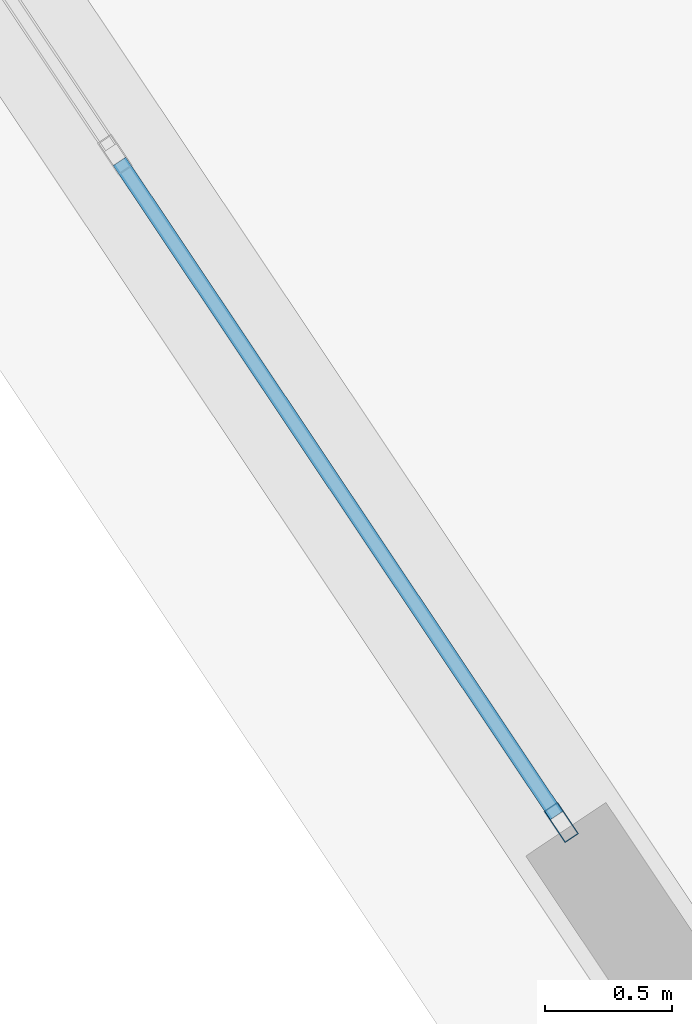
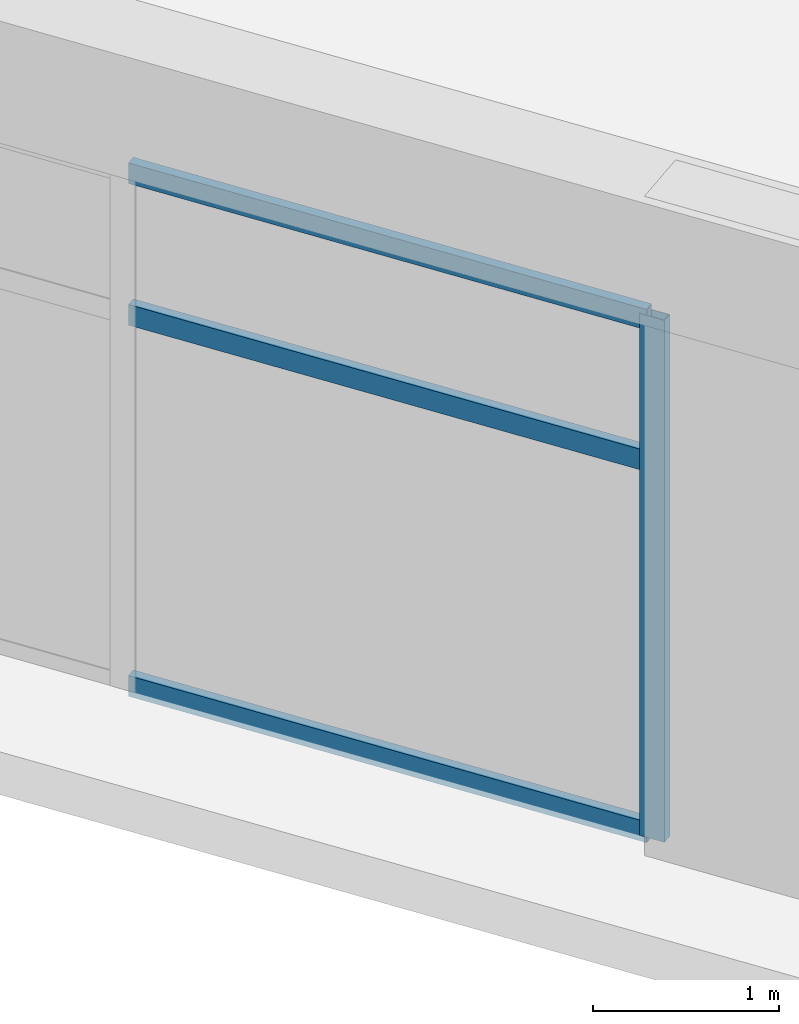
# One storey, part 2 of 35: 4 members, 1 element without a shape of its own.
"""IFC4 building model written with IfcOpenShell, lengths in metres."""

from ifc_helpers import new_model, si_unit, direction, frame, origin, origin_2d, place, context, subcontext, project, spatial, hollow_rectangle, extrude, source, transform, mapped, material, layer, layer_set, material_profile, profile_set, type_object, element, aggregate, save


model = new_model("IFC4")

# Units and contexts
model_context = context("Model", 3, precision=1e-05, world=origin(), true_north=direction((0.0, 1.0)))
body_context = subcontext(model_context, "Body", "Model", "MODEL_VIEW")
ifc_project = project(units=[si_unit("LENGTHUNIT", "METRE"), si_unit("AREAUNIT", "SQUARE_METRE"), si_unit("VOLUMEUNIT", "CUBIC_METRE"), si_unit("PLANEANGLEUNIT", "RADIAN"), si_unit("MASSUNIT", "GRAM", prefix="KILO")], contexts=[model_context])

# Site, building, storey
site_placement = place(None, origin())
site = spatial("IfcSite", under=ifc_project, at=site_placement, CompositionType="ELEMENT")
building_placement = place(site_placement, origin())
building = spatial("IfcBuilding", under=site, at=building_placement, Name="Liaohun Quay Tower", CompositionType="ELEMENT")
storey_placement = place(building_placement, frame((0.0, 0.0, 282.0)))
storey = spatial("IfcBuildingStorey", under=building, at=storey_placement, Name="L73", CompositionType="ELEMENT", Elevation=282.0)

# Curtain wall, members
ifc_material_1 = material(Name="Upper sky-lobby belvedere curtain wall")
ifc_layer = layer(ifc_material_1, 0.199951171875, Name="Upper sky-lobby belvedere curtain wall")
ifc_layer_set = layer_set([ifc_layer], Name="Upper sky-lobby belvedere curtain wall")
curtain_wall_type = type_object("IfcCurtainWallType", Name="CW-SKY-L73", PredefinedType="NOTDEFINED", material=ifc_layer_set)
curtain_wall_placement = place(storey_placement, origin())
curtain_wall = element("IfcCurtainWall", 1, at=curtain_wall_placement, inside=storey, type_object=curtain_wall_type, Name="L73 Panoramic Belvedere Curtain Wall 06", PredefinedType="NOTDEFINED")
ifc_material_2 = material(Name="Anodised aluminium 6063-T6", Category="aluminium")
ifc_material_profile_1 = material_profile(ifc_material_2, hollow_rectangle(XDim=0.06494140625, YDim=0.14990234375, WallThickness=0.00390625, at=origin_2d()), Name="RHS150x65x4")
ifc_profile_set_1 = profile_set([ifc_material_profile_1], Name="Anodised aluminium 6063-T6")
member_type_1 = type_object("IfcMemberType", Name="MEM-CWM-SKY", PredefinedType="MULLION", material=ifc_profile_set_1)
shared_shape_1 = source(origin(), body_context, "Body", "SweptSolid", [
    extrude(hollow_rectangle(XDim=0.06494140625, YDim=0.14990234375, WallThickness=0.00390625, at=origin_2d()), origin(), (0.0, 0.0, 1.0), 3.419921875),
])
member_1_placement = place(storey_placement, frame((48.81689453125, 30.29296875, 0.0), z_axis=(0.0, 0.0, 1.0), x_axis=(0.831424752253, 0.555637364961, 0.0)))
member_1 = element("IfcMember", 2, at=member_1_placement, type_object=member_type_1, Name="CW5 mullion 3", PredefinedType="MULLION", context=body_context, shape_type="MappedRepresentation", body=[
    mapped(shared_shape_1, transform((0.0, 0.0, 0.0), x_axis=(1.0, 0.0, 0.0), y_axis=(0.0, 1.0, 0.0), z_axis=(0.0, 0.0, 1.0), scale=1.0)),
])
ifc_material_profile_2 = material_profile(ifc_material_2, hollow_rectangle(XDim=0.06005859375, YDim=0.135009765625, WallThickness=0.00390625, at=origin_2d()), Name="RHS135x60x4")
ifc_profile_set_2 = profile_set([ifc_material_profile_2], Name="Anodised aluminium 6063-T6")
member_type_2 = type_object("IfcMemberType", Name="MEM-CWT-SKY", PredefinedType="USERDEFINED", material=ifc_profile_set_2)
shared_shape_2 = source(origin(), body_context, "Body", "SweptSolid", [
    extrude(hollow_rectangle(XDim=0.06005859375, YDim=0.135009765625, WallThickness=0.00390625, at=origin_2d()), origin(), (0.0, 0.0, 1.0), 3.102294921875),
])
member_2_placement = place(storey_placement, frame((47.074951171875, 32.8994140625, 0.030029296875), z_axis=(0.555662320153, -0.83140807427, 0.0), x_axis=(0.83140807427, 0.555662320153, 0.0)))
member_2 = element("IfcMember", 3, at=member_2_placement, type_object=member_type_2, Name="CW5 transom 2.1", ObjectType="TRANSOM", PredefinedType="USERDEFINED", context=body_context, shape_type="MappedRepresentation", body=[
    mapped(shared_shape_2, transform((0.0, 0.0, 0.0), x_axis=(1.0, 0.0, 0.0), y_axis=(0.0, 1.0, 0.0), z_axis=(0.0, 0.0, 1.0), scale=1.0)),
])
member_3_placement = place(storey_placement, frame((47.074951171875, 32.8994140625, 2.4619140625), z_axis=(0.555662320153, -0.83140807427, 0.0), x_axis=(0.83140807427, 0.555662320153, 0.0)))
member_3 = element("IfcMember", 4, at=member_3_placement, type_object=member_type_2, Name="CW5 transom 2.2", ObjectType="TRANSOM", PredefinedType="USERDEFINED", context=body_context, shape_type="MappedRepresentation", body=[
    mapped(shared_shape_2, transform((0.0, 0.0, 0.0), x_axis=(1.0, 0.0, 0.0), y_axis=(0.0, 1.0, 0.0), z_axis=(0.0, 0.0, 1.0), scale=1.0)),
])
member_4_placement = place(storey_placement, frame((47.074951171875, 32.8994140625, 3.389892578125), z_axis=(0.555662320153, -0.83140807427, 0.0), x_axis=(0.83140807427, 0.555662320153, 0.0)))
member_4 = element("IfcMember", 5, at=member_4_placement, type_object=member_type_2, Name="CW5 transom 2.3", ObjectType="TRANSOM", PredefinedType="USERDEFINED", context=body_context, shape_type="MappedRepresentation", body=[
    mapped(shared_shape_2, transform((0.0, 0.0, 0.0), x_axis=(1.0, 0.0, 0.0), y_axis=(0.0, 1.0, 0.0), z_axis=(0.0, 0.0, 1.0), scale=1.0)),
])
aggregate(curtain_wall, [member_1, member_2, member_3, member_4])

save(model, "model.ifc")
